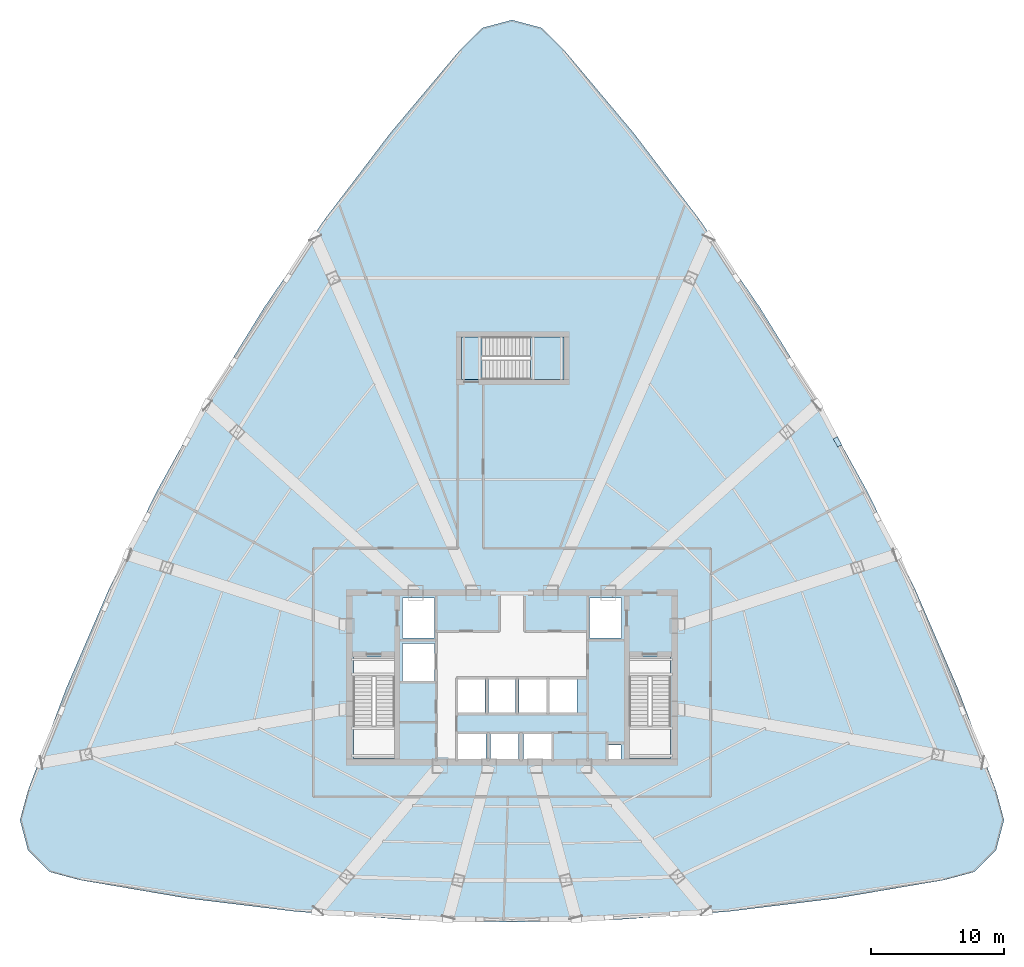
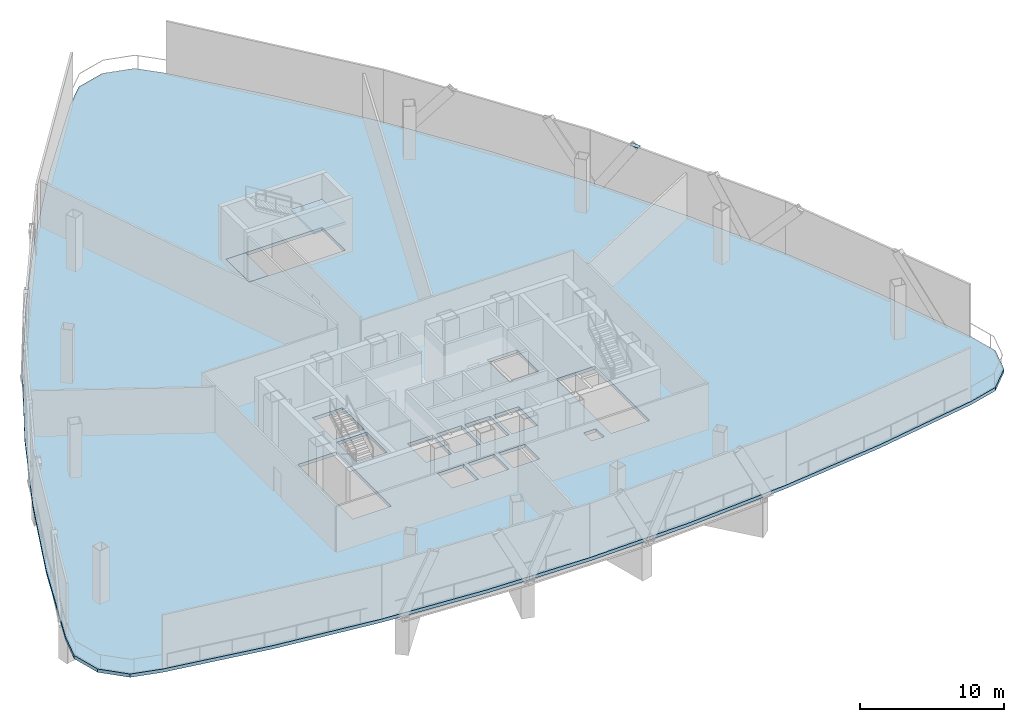
# One storey, part 5 of 14: 3 slabs, 1 plate, 1 element without a shape of its own.
"""IFC4 building model written with IfcOpenShell, lengths in metres."""

from ifc_helpers import new_model, si_unit, direction, frame, origin, origin_2d, place, context, subcontext, project, spatial, polyline, rectangle, outline, extrude, source, transform, mapped, material, layer, layer_set, type_object, element, aggregate, save


model = new_model("IFC4")

# Units and contexts
model_context = context("Model", 3, precision=1e-05, world=origin(), true_north=direction((0.0, 1.0)))
body_context = subcontext(model_context, "Body", "Model", "MODEL_VIEW")
ifc_project = project(units=[si_unit("LENGTHUNIT", "METRE"), si_unit("AREAUNIT", "SQUARE_METRE"), si_unit("VOLUMEUNIT", "CUBIC_METRE"), si_unit("PLANEANGLEUNIT", "RADIAN"), si_unit("MASSUNIT", "GRAM", prefix="KILO"), si_unit("THERMODYNAMICTEMPERATUREUNIT", "KELVIN"), si_unit("POWERUNIT", "WATT")], contexts=[model_context])

# Site, building, storey
site_placement = place(None, origin())
site = spatial("IfcSite", under=ifc_project, at=site_placement, CompositionType="ELEMENT")
building_placement = place(site_placement, origin())
building = spatial("IfcBuilding", under=site, at=building_placement, Name="Yunzhuo Pagoda Commons", CompositionType="ELEMENT")
storey_placement = place(building_placement, frame((0.0, 0.0, 224.81005859375)))
storey = spatial("IfcBuildingStorey", under=building, at=storey_placement, Name="L56", CompositionType="ELEMENT", Elevation=224.81005859375)

# Stair, slabs
ifc_material_1 = material(Name="Concrete C40", Category="concrete")
stair_type = type_object("IfcStairType", Name="ST-C3 North Tower Smokeproof Stair ST3", PredefinedType="HALF_TURN_STAIR", material=ifc_material_1)
stair_placement = place(storey_placement, origin())
stair = element("IfcStair", 1, at=stair_placement, inside=storey, type_object=stair_type, Name="L56 North tower smokeproof stair ST3", PredefinedType="HALF_TURN_STAIR")
ifc_layer_1 = layer(ifc_material_1, 0.2041015625)
ifc_layer_set_1 = layer_set([ifc_layer_1], Name="Concrete C40")
slab_type_1 = type_object("IfcSlabType", Name="SL-LND5 North Landing Slab 204", PredefinedType="LANDING", material=ifc_layer_set_1)
slab_1_placement = place(storey_placement, frame((0.0, 0.0, 2.199951171875)))
slab_1 = element("IfcSlab", 2, at=slab_1_placement, type_object=slab_type_1, Name="ST3 landing 1", PredefinedType="LANDING", context=body_context, shape_type="SweptSolid", body=[
    extrude(outline(polyline([(49.389892578125, 56.199951171875), (51.89990234375, 56.199951171875), (51.89990234375, 59.39990234375), (49.389892578125, 59.39990234375), (49.389892578125, 56.199951171875)])), origin(), (0.0, 0.0, 1.0), 0.199951171875),
])
slab_2_placement = place(storey_placement, frame((0.0, 0.0, -0.199951171875)))
slab_2 = element("IfcSlab", 3, at=slab_2_placement, type_object=slab_type_1, Name="ST3 floor landing L56", PredefinedType="LANDING", context=body_context, shape_type="SweptSolid", body=[
    extrude(outline(polyline([(44.199951171875, 56.199951171875), (45.75, 56.199951171875), (45.75, 59.39990234375), (44.199951171875, 59.39990234375), (44.199951171875, 56.199951171875)])), origin(), (0.0, 0.0, 1.0), 0.199951171875),
])
aggregate(stair, [slab_1, slab_2])

# Slab
ifc_layer_2 = layer(ifc_material_1, 0.280029296875)
ifc_layer_set_2 = layer_set([ifc_layer_2], Name="Concrete C40")
slab_type_2 = type_object("IfcSlabType", Name="SL-POD Podium & Refuge Floor Slab 280", PredefinedType="FLOOR", material=ifc_layer_set_2)
slab_3_placement = place(storey_placement, frame((0.0, 0.0, -0.280029296875)))
element("IfcSlab", 4, at=slab_3_placement, inside=storey, type_object=slab_type_2, Name="L56 structural floor slab", PredefinedType="FLOOR", context=body_context, shape_type="SweptSolid", body=[
    extrude(outline(polyline([(14.5810546875, 33.0498046875), (17.78076171875, 40.486328125), (21.32080078125, 47.72412109375), (25.20166015625, 54.76318359375), (29.4228515625, 61.603515625), (33.984375, 68.2451171875), (38.88671875, 74.68798828125), (44.129150390625, 80.931884765625), (45.768310546875, 82.559326171875), (48.0, 83.154296875), (50.231689453125, 82.559326171875), (51.870849609375, 80.931884765625), (57.11328125, 74.68798828125), (62.015625, 68.2451171875), (66.5771484375, 61.603515625), (70.79833984375, 54.76318359375), (74.67919921875, 47.72412109375), (78.21923828125, 40.486328125), (81.4189453125, 33.0498046875), (84.2783203125, 25.41455078125), (84.889404296875, 23.171142578125), (84.294189453125, 20.92333984375), (82.653076171875, 19.276123046875), (80.407470703125, 18.673095703125), (72.3056640625, 17.293212890625), (64.20361328125, 16.3076171875), (56.101806640625, 15.716064453125), (48.0, 15.51904296875), (39.898193359375, 15.716064453125), (31.79638671875, 16.3076171875), (23.6943359375, 17.293212890625), (15.592529296875, 18.673095703125), (13.346923828125, 19.276123046875), (11.705810546875, 20.92333984375), (11.110595703125, 23.171142578125), (11.7216796875, 25.41455078125), (14.5810546875, 33.0498046875)]), holes=[polyline([(46.050048828125, 29.64990234375), (43.949951171875, 29.64990234375), (43.949951171875, 27.60009765625), (46.050048828125, 27.60009765625), (46.050048828125, 29.64990234375)]), polyline([(48.5, 27.60009765625), (48.5, 29.64990234375), (46.39990234375, 29.64990234375), (46.39990234375, 27.60009765625), (48.5, 27.60009765625)]), polyline([(36.10009765625, 27.800048828125), (39.199951171875, 27.800048828125), (39.199951171875, 35.39990234375), (36.10009765625, 35.39990234375), (36.10009765625, 27.800048828125)]), polyline([(45.969970703125, 31.199951171875), (45.969970703125, 33.800048828125), (43.929931640625, 33.800048828125), (43.929931640625, 31.199951171875), (45.969970703125, 31.199951171875)]), polyline([(48.27001953125, 31.199951171875), (48.27001953125, 33.800048828125), (46.22998046875, 33.800048828125), (46.22998046875, 31.199951171875), (48.27001953125, 31.199951171875)]), polyline([(42.199951171875, 33.60009765625), (42.199951171875, 36.39990234375), (39.800048828125, 36.39990234375), (39.800048828125, 33.60009765625), (42.199951171875, 33.60009765625)]), polyline([(42.199951171875, 36.800048828125), (42.199951171875, 39.800048828125), (39.800048828125, 39.800048828125), (39.800048828125, 36.800048828125), (42.199951171875, 36.800048828125)]), polyline([(56.179931640625, 28.800048828125), (55.179931640625, 28.800048828125), (55.179931640625, 27.699951171875), (56.179931640625, 27.699951171875), (56.179931640625, 28.800048828125)]), polyline([(50.949951171875, 27.60009765625), (50.949951171875, 29.64990234375), (48.85009765625, 29.64990234375), (48.85009765625, 27.60009765625), (50.949951171875, 27.60009765625)]), polyline([(56.800048828125, 27.800048828125), (59.89990234375, 27.800048828125), (59.89990234375, 35.39990234375), (56.800048828125, 35.39990234375), (56.800048828125, 27.800048828125)]), polyline([(50.570068359375, 31.199951171875), (50.570068359375, 33.800048828125), (48.530029296875, 33.800048828125), (48.530029296875, 31.199951171875), (50.570068359375, 31.199951171875)]), polyline([(52.8701171875, 31.199951171875), (52.8701171875, 33.800048828125), (50.830078125, 33.800048828125), (50.830078125, 31.199951171875), (52.8701171875, 31.199951171875)]), polyline([(56.199951171875, 36.800048828125), (56.199951171875, 39.800048828125), (53.800048828125, 39.800048828125), (53.800048828125, 36.800048828125), (56.199951171875, 36.800048828125)]), polyline([(51.89990234375, 56.199951171875), (51.89990234375, 59.39990234375), (44.199951171875, 59.39990234375), (44.199951171875, 56.199951171875), (51.89990234375, 56.199951171875)])]), origin(), (0.0, 0.0, 1.0), 0.280029296875),
])

# Plate
ifc_material_2 = material(Name="Structural steel Q355B", Category="steel")
ifc_layer_3 = layer(ifc_material_2, 0.028076171875)
ifc_layer_set_3 = layer_set([ifc_layer_3], Name="Structural steel Q355B")
plate_type = type_object("IfcPlateType", Name="SP-ND1 Lattice Node Cap Plate 800x500x28", PredefinedType="USERDEFINED", material=ifc_layer_set_3)
shared_shape = source(origin(), body_context, "Body", "SweptSolid", [
    extrude(rectangle(XDim=0.699951171875, YDim=0.35009765625, at=origin_2d()), origin(), (0.0, 0.0, 1.0), 0.035888671875),
])
plate_placement = place(storey_placement, frame((72.402099609375, 51.52197265625, 4.501953125), z_axis=(0.0, 0.0, 1.0), x_axis=(-0.465336470286, 0.885133870904, 0.0)))
element("IfcPlate", 5, at=plate_placement, inside=storey, type_object=plate_type, Name="L56 setback lattice tie plate F2.2R", ObjectType="STIFFENER_PLATE", PredefinedType="USERDEFINED", context=body_context, shape_type="MappedRepresentation", body=[
    mapped(shared_shape, transform((0.0, 0.0, 0.0), scale=1.0)),
])

save(model, "model.ifc")
